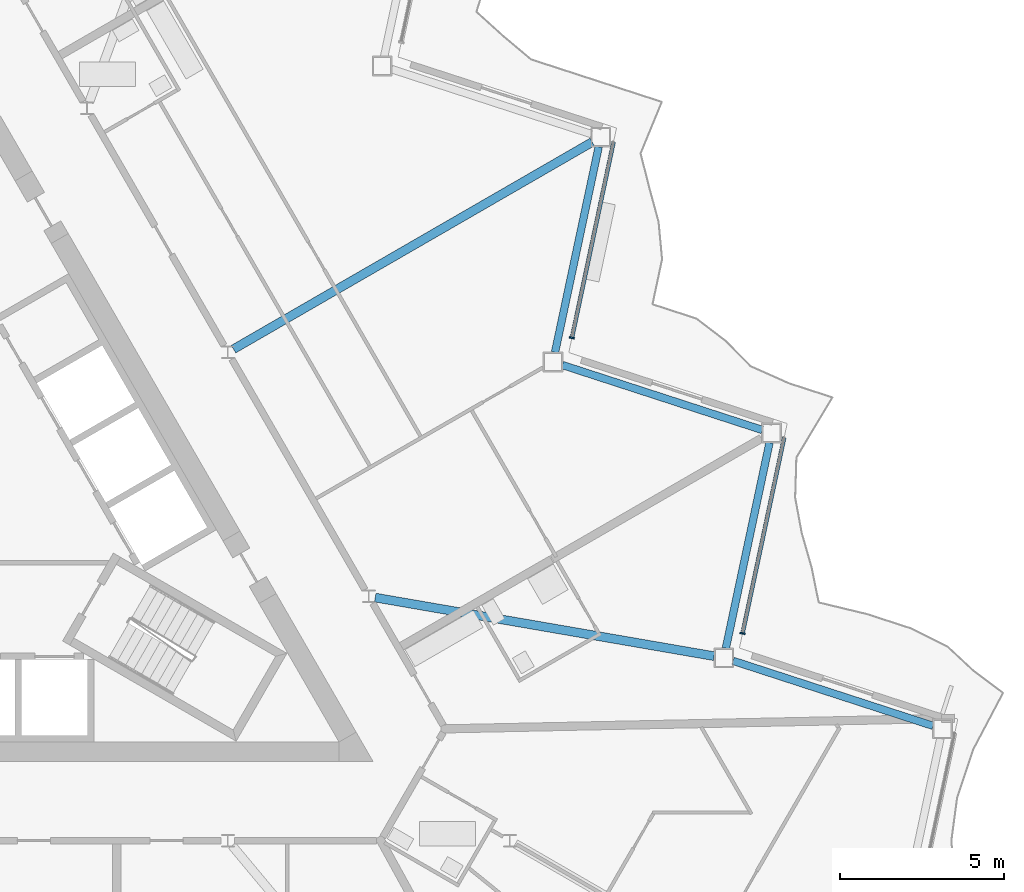
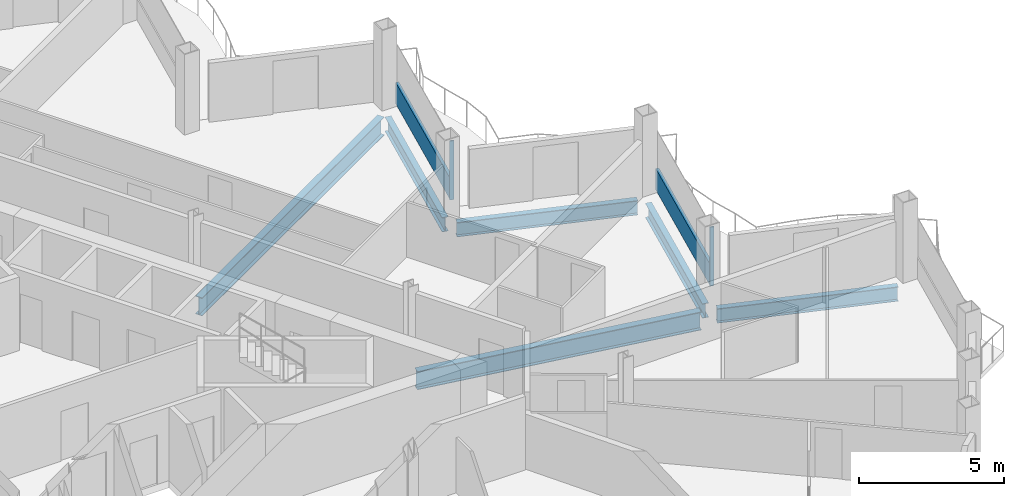
# One storey, part 9 of 27: 6 beams, 4 members, 2 elements without a shape of their own.
"""IFC4 building model written with IfcOpenShell, lengths in metres."""

from ifc_helpers import new_model, si_unit, direction, frame, origin, origin_2d, place, context, subcontext, project, spatial, rectangle, i_section, extrude, material, layer, layer_set, material_profile, profile_set, type_object, element, aggregate, save


model = new_model("IFC4")

# Units and contexts
model_context = context("Model", 3, precision=1e-05, world=origin(), true_north=direction((0.0, 1.0)))
body_context = subcontext(model_context, "Body", "Model", "MODEL_VIEW")
ifc_project = project(units=[si_unit("LENGTHUNIT", "METRE"), si_unit("AREAUNIT", "SQUARE_METRE"), si_unit("VOLUMEUNIT", "CUBIC_METRE"), si_unit("PLANEANGLEUNIT", "RADIAN"), si_unit("MASSUNIT", "GRAM", prefix="KILO")], contexts=[model_context])

# Site, building, storey
site_placement = place(None, origin())
site = spatial("IfcSite", under=ifc_project, at=site_placement, CompositionType="ELEMENT")
building_placement = place(site_placement, origin())
building = spatial("IfcBuilding", under=site, at=building_placement, Name="Cormorant Prow Tower", CompositionType="ELEMENT")
storey_placement = place(building_placement, frame((0.0, 0.0, 312.0)))
storey = spatial("IfcBuildingStorey", under=building, at=storey_placement, Name="L68", CompositionType="ELEMENT", Elevation=312.0)

# Beams
ifc_material_1 = material(Name="Structural steel ASTM A992 Gr 50", Category="steel")
ifc_material_profile_1 = material_profile(ifc_material_1, i_section(OverallWidth=0.267822265625, OverallDepth=0.77001953125, WebThickness=0.015625, FlangeThickness=0.025390625, at=origin_2d()), Name="W30x132")
ifc_profile_set_1 = profile_set([ifc_material_profile_1], Name="Structural steel ASTM A992 Gr 50")
beam_type_1 = type_object("IfcBeamType", Name="Radial floor beam W30x132", PredefinedType="BEAM", material=ifc_profile_set_1)
beam_1_placement = place(storey_placement, frame((13.0625, -2.510009765625, -0.68505859375), z_axis=(0.985379592304, -0.170373293304, 0.0), x_axis=(0.170373293304, 0.985379592304, 0.0)))
element("IfcBeam", 1, at=beam_1_placement, inside=storey, type_object=beam_type_1, Name="Radial floor beam FB3 10 L68", PredefinedType="BEAM", context=body_context, shape_type="SweptSolid", body=[
    extrude(i_section(OverallWidth=0.267822265625, OverallDepth=0.77001953125, WebThickness=0.015625, FlangeThickness=0.025390625, at=origin_2d()), origin(), (0.0, 0.0, 1.0), 10.465087890625),
])
beam_2_placement = place(storey_placement, frame((8.749755859375, 5.051513671875, -0.68505859375), z_axis=(0.866021086443, 0.50000747778, 0.0), x_axis=(-0.50000747778, 0.866021086443, 0.0)))
element("IfcBeam", 2, at=beam_2_placement, inside=storey, type_object=beam_type_1, Name="Radial floor beam FB3 11 L68", PredefinedType="BEAM", context=body_context, shape_type="SweptSolid", body=[
    extrude(i_section(OverallWidth=0.267822265625, OverallDepth=0.77001953125, WebThickness=0.015625, FlangeThickness=0.025390625, at=origin_2d()), origin(), (0.0, 0.0, 1.0), 12.604736328125),
])

# Curtain wall, member
ifc_material_2 = material(Name="Aluminium 6063-T6", Category="aluminium")
ifc_layer = layer(ifc_material_2, 0.159912109375)
ifc_layer_set = layer_set([ifc_layer], Name="Aluminium 6063-T6")
curtain_wall_type = type_object("IfcCurtainWallType", Name="Residential unitised curtain wall 160", PredefinedType="NOTDEFINED", material=ifc_layer_set)
curtain_wall_1_placement = place(storey_placement, origin())
curtain_wall_1 = element("IfcCurtainWall", 3, at=curtain_wall_1_placement, inside=storey, type_object=curtain_wall_type, Name="Residential curtain wall ENE02", PredefinedType="NOTDEFINED")
ifc_material_3 = material(Name="Aluminium 6063-T6", Category="aluminium")
ifc_material_profile_2 = material_profile(ifc_material_3, rectangle(XDim=0.159912109375, YDim=0.050048828125, at=origin_2d()), Name="Residential mullion 50x160")
ifc_profile_set_2 = profile_set([ifc_material_profile_2], Name="Aluminium 6063-T6")
member_type_1 = type_object("IfcMemberType", Name="Residential mullion 50x160", PredefinedType="MULLION", material=ifc_profile_set_2)
member_1_placement = place(storey_placement, frame((24.240966796875, -3.59912109375, 0.0), z_axis=(0.0, 0.0, 1.0), x_axis=(-0.978147586048, 0.207911759908, 0.0)))
member_1 = element("IfcMember", 4, at=member_1_placement, type_object=member_type_1, Name="Residential mullion ENE02", PredefinedType="MULLION", context=body_context, shape_type="SweptSolid", body=[
    extrude(rectangle(XDim=0.159912109375, YDim=0.050048828125, at=origin_2d()), origin(), (0.0, 0.0, 1.0), 2.48779296875),
])

curtain_wall_2_placement = place(storey_placement, origin())
curtain_wall_2 = element("IfcCurtainWall", 5, at=curtain_wall_2_placement, inside=storey, type_object=curtain_wall_type, Name="Residential curtain wall ENE04", PredefinedType="NOTDEFINED")
member_2_placement = place(storey_placement, frame((19.048095703125, 5.39501953125, 0.0), z_axis=(0.0, 0.0, 1.0), x_axis=(-0.978147586048, 0.207911759908, 0.0)))
member_2 = element("IfcMember", 6, at=member_2_placement, type_object=member_type_1, Name="Residential mullion ENE04", PredefinedType="MULLION", context=body_context, shape_type="SweptSolid", body=[
    extrude(rectangle(XDim=0.159912109375, YDim=0.050048828125, at=origin_2d()), origin(), (0.0, 0.0, 1.0), 2.48779296875),
])

# Member
ifc_material_4 = material(Name="Terracotta", Category="masonry")
ifc_material_profile_3 = material_profile(ifc_material_4, rectangle(XDim=0.1201171875, YDim=0.89990234375, at=origin_2d()), Name="Residential terracotta spandrel rail 120x900")
ifc_profile_set_3 = profile_set([ifc_material_profile_3], Name="Terracotta")
member_type_2 = type_object("IfcMemberType", Name="Residential terracotta spandrel rail 120x900", PredefinedType="USERDEFINED", material=ifc_profile_set_3)
member_3_placement = place(storey_placement, frame((24.24609375, -3.57470703125, 0.449951171875), z_axis=(0.207913597079, 0.978147195544, 0.0), x_axis=(-0.978147195544, 0.207913597079, 0.0)))
member_3 = element("IfcMember", 7, at=member_3_placement, type_object=member_type_2, Name="Residential spandrel rail ENE02", ObjectType="TRANSOM", PredefinedType="USERDEFINED", context=body_context, shape_type="SweptSolid", body=[
    extrude(rectangle(XDim=0.1201171875, YDim=0.89990234375, at=origin_2d()), origin(), (0.0, 0.0, 1.0), 6.069580078125),
])

aggregate(curtain_wall_1, [member_1, member_3])

member_4_placement = place(storey_placement, frame((19.05322265625, 5.419677734375, 0.449951171875), z_axis=(0.207913597079, 0.978147195544, 0.0), x_axis=(-0.978147195544, 0.207913597079, 0.0)))
member_4 = element("IfcMember", 8, at=member_4_placement, type_object=member_type_2, Name="Residential spandrel rail ENE04", ObjectType="TRANSOM", PredefinedType="USERDEFINED", context=body_context, shape_type="SweptSolid", body=[
    extrude(rectangle(XDim=0.1201171875, YDim=0.89990234375, at=origin_2d()), origin(), (0.0, 0.0, 1.0), 6.069580078125),
])

aggregate(curtain_wall_2, [member_2, member_4])

# Beams
ifc_material_5 = material(Name="Structural steel ASTM A992 Gr 50", Category="steel")
ifc_material_profile_4 = material_profile(ifc_material_5, i_section(OverallWidth=0.22900390625, OverallDepth=0.612060546875, WebThickness=0.011962890625, FlangeThickness=0.01953125, at=origin_2d()), Name="W24x84")
ifc_profile_set_4 = profile_set([ifc_material_profile_4], Name="Structural steel ASTM A992 Gr 50")
beam_type_2 = type_object("IfcBeamType", Name="Spandrel beam W24x84", PredefinedType="SPANDREL", material=ifc_profile_set_4)
beam_3_placement = place(storey_placement, frame((30.038330078125, -6.413330078125, -0.60595703125), z_axis=(-0.951064359156, 0.308992855489, 0.0), x_axis=(-0.308992855489, -0.951064359156, 0.0)))
element("IfcBeam", 9, at=beam_3_placement, inside=storey, type_object=beam_type_2, Name="Spandrel beam SB3 ENE01-ENE02 L68", PredefinedType="SPANDREL", context=body_context, shape_type="SweptSolid", body=[
    extrude(i_section(OverallWidth=0.22900390625, OverallDepth=0.612060546875, WebThickness=0.011962890625, FlangeThickness=0.01953125, at=origin_2d()), origin(), (0.0, 0.0, 1.0), 6.39599609375),
])
beam_4_placement = place(storey_placement, frame((23.732421875, -4.05078125, -0.60595703125), z_axis=(0.20791262393, 0.978147402394, 0.0), x_axis=(-0.978147402394, 0.20791262393, 0.0)))
element("IfcBeam", 10, at=beam_4_placement, inside=storey, type_object=beam_type_2, Name="Spandrel beam SB3 ENE02-ENE03 L68", PredefinedType="SPANDREL", context=body_context, shape_type="SweptSolid", body=[
    extrude(i_section(OverallWidth=0.22900390625, OverallDepth=0.612060546875, WebThickness=0.011962890625, FlangeThickness=0.01953125, at=origin_2d()), origin(), (0.0, 0.0, 1.0), 6.396240234375),
])
beam_5_placement = place(storey_placement, frame((24.83935546875, 2.591796875, -0.60595703125), z_axis=(-0.951064359156, 0.308992855489, 0.0), x_axis=(-0.308992855489, -0.951064359156, 0.0)))
element("IfcBeam", 11, at=beam_5_placement, inside=storey, type_object=beam_type_2, Name="Spandrel beam SB3 ENE03-ENE04 L68", PredefinedType="SPANDREL", context=body_context, shape_type="SweptSolid", body=[
    extrude(i_section(OverallWidth=0.22900390625, OverallDepth=0.612060546875, WebThickness=0.011962890625, FlangeThickness=0.01953125, at=origin_2d()), origin(), (0.0, 0.0, 1.0), 6.39599609375),
])
beam_6_placement = place(storey_placement, frame((18.533447265625, 4.954345703125, -0.60595703125), z_axis=(0.20791262393, 0.978147402394, 0.0), x_axis=(-0.978147402394, 0.20791262393, 0.0)))
element("IfcBeam", 12, at=beam_6_placement, inside=storey, type_object=beam_type_2, Name="Spandrel beam SB3 ENE04-ENE05 L68", PredefinedType="SPANDREL", context=body_context, shape_type="SweptSolid", body=[
    extrude(i_section(OverallWidth=0.22900390625, OverallDepth=0.612060546875, WebThickness=0.011962890625, FlangeThickness=0.01953125, at=origin_2d()), origin(), (0.0, 0.0, 1.0), 6.396240234375),
])

save(model, "model.ifc")
